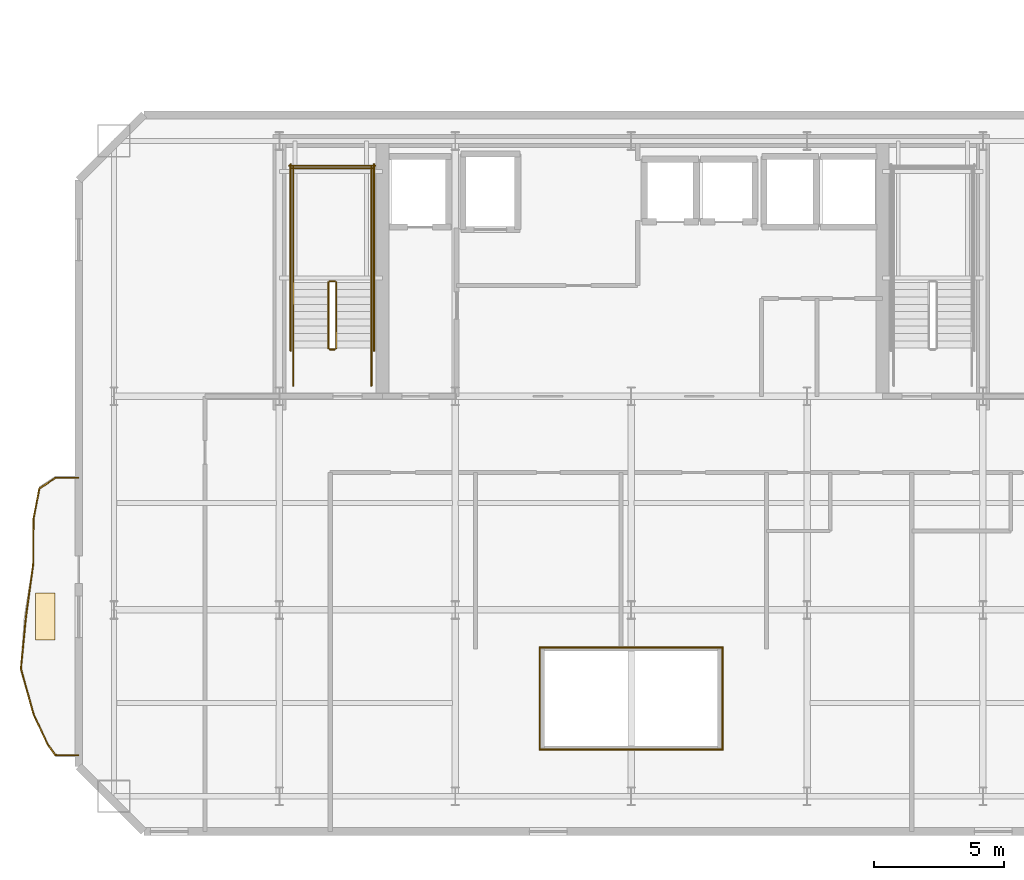
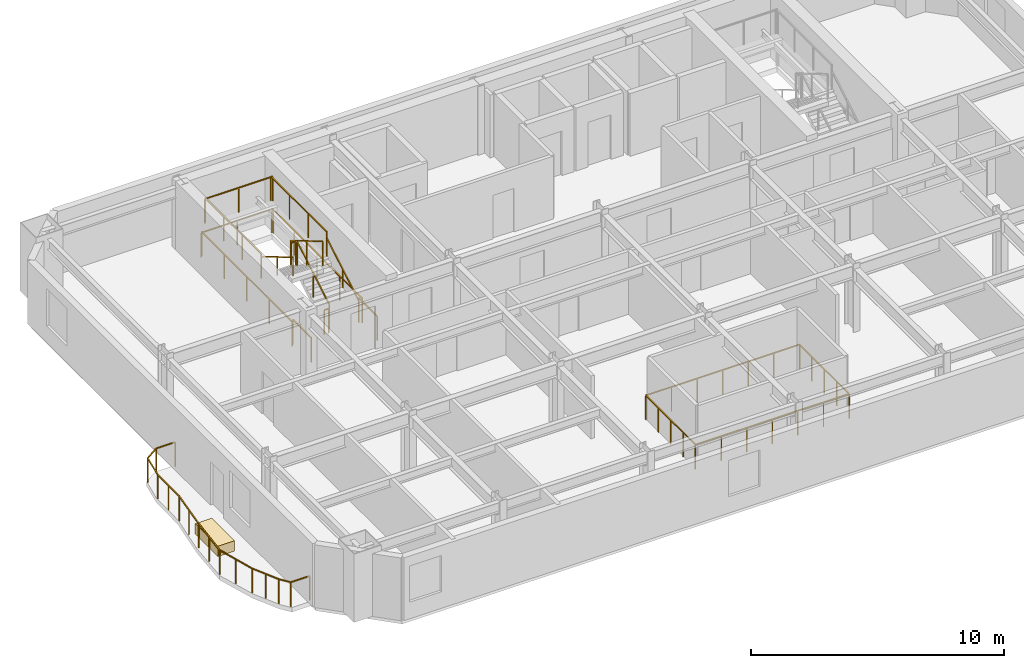
# One storey, part 10 of 13: 28 railings, 1 covering.
"""IFC4 building model written with IfcOpenShell, lengths in metres."""

from ifc_helpers import new_model, si_unit, direction, frame, origin, origin_2d, place, context, subcontext, project, spatial, rectangle, extrude, material, layer, layer_set, type_object, element, save


model = new_model("IFC4")

# Units and contexts
model_context = context("Model", 3, precision=1e-05, world=origin(), true_north=direction((0.0, 1.0)))
body_context = subcontext(model_context, "Body", "Model", "MODEL_VIEW")
ifc_project = project(units=[si_unit("LENGTHUNIT", "METRE"), si_unit("AREAUNIT", "SQUARE_METRE"), si_unit("VOLUMEUNIT", "CUBIC_METRE"), si_unit("PLANEANGLEUNIT", "RADIAN"), si_unit("MASSUNIT", "GRAM", prefix="KILO")], contexts=[model_context])

# Site, building, storey
site_placement = place(None, origin())
site = spatial("IfcSite", under=ifc_project, at=site_placement, CompositionType="ELEMENT")
building_placement = place(site_placement, origin())
building = spatial("IfcBuilding", under=site, at=building_placement, Name="Haevon Station Towers", CompositionType="ELEMENT")
storey_placement = place(building_placement, frame((0.0, 0.0, 149.39990234375)))
storey = spatial("IfcBuildingStorey", under=building, at=storey_placement, Name="L40", CompositionType="ELEMENT", Elevation=149.39990234375)

# Railings
ifc_material_1 = material(Name="Steel S355", Category="steel")
railing_type_1 = type_object("IfcRailingType", Name="BAL-ATR1200", PredefinedType="BALUSTRADE", material=ifc_material_1)
railing_1_placement = place(storey_placement, frame((33.995361328125, 24.641357421875, 0.0)))
element("IfcRailing", 1, at=railing_1_placement, inside=storey, type_object=railing_type_1, Name="L40 Atrium Void Balustrade 1", PredefinedType="BALUSTRADE", context=body_context, shape_type="SweptSolid", body=[
    extrude(rectangle(XDim=0.048095703125, YDim=0.048095703125, at=origin_2d()), frame((0.0, 0.0, 1.17578125), z_axis=(1.0, 0.0, 0.0), x_axis=(0.0, 1.0, 0.0)), (0.0, 0.0, 1.0), 7.00927734375),
    extrude(rectangle(XDim=0.0419921875, YDim=0.0419921875, at=origin_2d()), origin(), (0.0, 0.0, 1.0), 1.15185546875),
    extrude(rectangle(XDim=0.0419921875, YDim=0.0419921875, at=origin_2d()), frame((1.168212890625, 0.0, 0.0)), (0.0, 0.0, 1.0), 1.15185546875),
    extrude(rectangle(XDim=0.0419921875, YDim=0.0419921875, at=origin_2d()), frame((2.33642578125, 0.0, 0.0)), (0.0, 0.0, 1.0), 1.15185546875),
    extrude(rectangle(XDim=0.0419921875, YDim=0.0419921875, at=origin_2d()), frame((3.504638671875, 0.0, 0.0)), (0.0, 0.0, 1.0), 1.15185546875),
    extrude(rectangle(XDim=0.0419921875, YDim=0.0419921875, at=origin_2d()), frame((4.6728515625, 0.0, 0.0)), (0.0, 0.0, 1.0), 1.15185546875),
    extrude(rectangle(XDim=0.0419921875, YDim=0.0419921875, at=origin_2d()), frame((5.841064453125, 0.0, 0.0)), (0.0, 0.0, 1.0), 1.15185546875),
    extrude(rectangle(XDim=0.0419921875, YDim=0.0419921875, at=origin_2d()), frame((7.00927734375, 0.0, 0.0)), (0.0, 0.0, 1.0), 1.15185546875),
])
railing_2_placement = place(storey_placement, frame((41.004638671875, 24.641357421875, 0.0)))
element("IfcRailing", 2, at=railing_2_placement, inside=storey, type_object=railing_type_1, Name="L40 Atrium Void Balustrade 2", PredefinedType="BALUSTRADE", context=body_context, shape_type="SweptSolid", body=[
    extrude(rectangle(XDim=0.048095703125, YDim=0.048095703125, at=origin_2d()), frame((0.0, 0.0, 1.17578125), z_axis=(0.0, 1.0, 0.0), x_axis=(-1.0, 0.0, 0.0)), (0.0, 0.0, 1.0), 3.917236328125),
    extrude(rectangle(XDim=0.0419921875, YDim=0.0419921875, at=origin_2d()), origin(), (0.0, 0.0, 1.0), 1.15185546875),
    extrude(rectangle(XDim=0.0419921875, YDim=0.0419921875, at=origin_2d()), frame((0.0, 0.979248046875, 0.0)), (0.0, 0.0, 1.0), 1.15185546875),
    extrude(rectangle(XDim=0.0419921875, YDim=0.0419921875, at=origin_2d()), frame((0.0, 1.95849609375, 0.0)), (0.0, 0.0, 1.0), 1.15185546875),
    extrude(rectangle(XDim=0.0419921875, YDim=0.0419921875, at=origin_2d()), frame((0.0, 2.93798828125, 0.0)), (0.0, 0.0, 1.0), 1.15185546875),
    extrude(rectangle(XDim=0.0419921875, YDim=0.0419921875, at=origin_2d()), frame((0.0, 3.917236328125, 0.0)), (0.0, 0.0, 1.0), 1.15185546875),
])
railing_3_placement = place(storey_placement, frame((41.004638671875, 28.55859375, 0.0)))
element("IfcRailing", 3, at=railing_3_placement, inside=storey, type_object=railing_type_1, Name="L40 Atrium Void Balustrade 3", PredefinedType="BALUSTRADE", context=body_context, shape_type="SweptSolid", body=[
    extrude(rectangle(XDim=0.048095703125, YDim=0.048095703125, at=origin_2d()), frame((0.0, 0.0, 1.17578125), z_axis=(-1.0, 0.0, 0.0), x_axis=(0.0, -1.0, 0.0)), (0.0, 0.0, 1.0), 7.00927734375),
    extrude(rectangle(XDim=0.0419921875, YDim=0.0419921875, at=origin_2d()), origin(), (0.0, 0.0, 1.0), 1.15185546875),
    extrude(rectangle(XDim=0.0419921875, YDim=0.0419921875, at=origin_2d()), frame((-1.168212890625, 0.0, 0.0)), (0.0, 0.0, 1.0), 1.15185546875),
    extrude(rectangle(XDim=0.0419921875, YDim=0.0419921875, at=origin_2d()), frame((-2.33642578125, 0.0, 0.0)), (0.0, 0.0, 1.0), 1.15185546875),
    extrude(rectangle(XDim=0.0419921875, YDim=0.0419921875, at=origin_2d()), frame((-3.504638671875, 0.0, 0.0)), (0.0, 0.0, 1.0), 1.15185546875),
    extrude(rectangle(XDim=0.0419921875, YDim=0.0419921875, at=origin_2d()), frame((-4.6728515625, 0.0, 0.0)), (0.0, 0.0, 1.0), 1.15185546875),
    extrude(rectangle(XDim=0.0419921875, YDim=0.0419921875, at=origin_2d()), frame((-5.841064453125, 0.0, 0.0)), (0.0, 0.0, 1.0), 1.15185546875),
    extrude(rectangle(XDim=0.0419921875, YDim=0.0419921875, at=origin_2d()), frame((-7.00927734375, 0.0, 0.0)), (0.0, 0.0, 1.0), 1.15185546875),
])
railing_4_placement = place(storey_placement, frame((33.995361328125, 28.55859375, 0.0)))
element("IfcRailing", 4, at=railing_4_placement, inside=storey, type_object=railing_type_1, Name="L40 Atrium Void Balustrade 4", PredefinedType="BALUSTRADE", context=body_context, shape_type="SweptSolid", body=[
    extrude(rectangle(XDim=0.048095703125, YDim=0.048095703125, at=origin_2d()), frame((0.0, 0.0, 1.17578125), z_axis=(0.0, -1.0, 0.0), x_axis=(1.0, 0.0, 0.0)), (0.0, 0.0, 1.0), 3.917236328125),
    extrude(rectangle(XDim=0.0419921875, YDim=0.0419921875, at=origin_2d()), origin(), (0.0, 0.0, 1.0), 1.15185546875),
    extrude(rectangle(XDim=0.0419921875, YDim=0.0419921875, at=origin_2d()), frame((0.0, -0.979248046875, 0.0)), (0.0, 0.0, 1.0), 1.15185546875),
    extrude(rectangle(XDim=0.0419921875, YDim=0.0419921875, at=origin_2d()), frame((0.0, -1.95849609375, 0.0)), (0.0, 0.0, 1.0), 1.15185546875),
    extrude(rectangle(XDim=0.0419921875, YDim=0.0419921875, at=origin_2d()), frame((0.0, -2.93798828125, 0.0)), (0.0, 0.0, 1.0), 1.15185546875),
    extrude(rectangle(XDim=0.0419921875, YDim=0.0419921875, at=origin_2d()), frame((0.0, -3.917236328125, 0.0)), (0.0, 0.0, 1.0), 1.15185546875),
])
railing_type_2 = type_object("IfcRailingType", Name="GRD-EXT1200", PredefinedType="GUARDRAIL", material=ifc_material_1)
railing_5_placement = place(storey_placement, frame((16.276611328125, 35.072265625, 0.0)))
element("IfcRailing", 5, at=railing_5_placement, inside=storey, type_object=railing_type_2, Name="L40 Perimeter Guardrail 1", PredefinedType="GUARDRAIL", context=body_context, shape_type="SweptSolid", body=[
    extrude(rectangle(XDim=0.048095703125, YDim=0.048095703125, at=origin_2d()), frame((0.0, 0.0, 1.17578125), z_axis=(-0.999997476494, -0.002246554286, 0.0), x_axis=(0.002246554286, -0.999997476494, 0.0)), (0.0, 0.0, 1.0), 0.869384765625),
    extrude(rectangle(XDim=0.0419921875, YDim=0.0419921875, at=origin_2d()), origin(), (0.0, 0.0, 1.0), 1.15185546875),
    extrude(rectangle(XDim=0.0419921875, YDim=0.0419921875, at=origin_2d()), frame((-0.869384765625, -0.001953125, 0.0)), (0.0, 0.0, 1.0), 1.15185546875),
])
railing_6_placement = place(storey_placement, frame((15.4072265625, 35.0703125, 0.0)))
element("IfcRailing", 6, at=railing_6_placement, inside=storey, type_object=railing_type_2, Name="L40 Perimeter Guardrail 2", PredefinedType="GUARDRAIL", context=body_context, shape_type="SweptSolid", body=[
    extrude(rectangle(XDim=0.048095703125, YDim=0.048095703125, at=origin_2d()), frame((0.0, 0.0, 1.17578125), z_axis=(-0.833008823722, -0.553259703576, 0.0), x_axis=(0.553259703576, -0.833008823722, 0.0)), (0.0, 0.0, 1.0), 0.74365234375),
    extrude(rectangle(XDim=0.0419921875, YDim=0.0419921875, at=origin_2d()), origin(), (0.0, 0.0, 1.0), 1.15185546875),
    extrude(rectangle(XDim=0.0419921875, YDim=0.0419921875, at=origin_2d()), frame((-0.619384765625, -0.411376953125, 0.0)), (0.0, 0.0, 1.0), 1.15185546875),
])
railing_7_placement = place(storey_placement, frame((14.787841796875, 34.658935546875, 0.0)))
element("IfcRailing", 7, at=railing_7_placement, inside=storey, type_object=railing_type_2, Name="L40 Perimeter Guardrail 3", PredefinedType="GUARDRAIL", context=body_context, shape_type="SweptSolid", body=[
    extrude(rectangle(XDim=0.048095703125, YDim=0.048095703125, at=origin_2d()), frame((0.0, 0.0, 1.17578125), z_axis=(-0.189926348496, -0.981798340876, 0.0), x_axis=(0.981798340876, -0.189926348496, 0.0)), (0.0, 0.0, 1.0), 1.191650390625),
    extrude(rectangle(XDim=0.0419921875, YDim=0.0419921875, at=origin_2d()), origin(), (0.0, 0.0, 1.0), 1.15185546875),
    extrude(rectangle(XDim=0.0419921875, YDim=0.0419921875, at=origin_2d()), frame((-0.226318359375, -1.169921875, 0.0)), (0.0, 0.0, 1.0), 1.15185546875),
])
railing_8_placement = place(storey_placement, frame((14.5615234375, 33.489013671875, 0.0)))
element("IfcRailing", 8, at=railing_8_placement, inside=storey, type_object=railing_type_2, Name="L40 Perimeter Guardrail 4", PredefinedType="GUARDRAIL", context=body_context, shape_type="SweptSolid", body=[
    extrude(rectangle(XDim=0.048095703125, YDim=0.048095703125, at=origin_2d()), frame((0.0, 0.0, 1.17578125), z_axis=(-0.007391708799, -0.999972680947, 0.0), x_axis=(0.999972680947, -0.007391708799, 0.0)), (0.0, 0.0, 1.0), 1.75048828125),
    extrude(rectangle(XDim=0.0419921875, YDim=0.0419921875, at=origin_2d()), origin(), (0.0, 0.0, 1.0), 1.15185546875),
    extrude(rectangle(XDim=0.0419921875, YDim=0.0419921875, at=origin_2d()), frame((-0.00634765625, -0.875244140625, 0.0)), (0.0, 0.0, 1.0), 1.15185546875),
    extrude(rectangle(XDim=0.0419921875, YDim=0.0419921875, at=origin_2d()), frame((-0.012939453125, -1.75048828125, 0.0)), (0.0, 0.0, 1.0), 1.15185546875),
])
railing_9_placement = place(storey_placement, frame((14.548583984375, 31.738525390625, 0.0)))
element("IfcRailing", 9, at=railing_9_placement, inside=storey, type_object=railing_type_2, Name="L40 Perimeter Guardrail 5", PredefinedType="GUARDRAIL", context=body_context, shape_type="SweptSolid", body=[
    extrude(rectangle(XDim=0.048095703125, YDim=0.048095703125, at=origin_2d()), frame((0.0, 0.0, 1.17578125), z_axis=(-0.136345171369, -0.990661392326, 0.0), x_axis=(0.990661392326, -0.136345171369, 0.0)), (0.0, 0.0, 1.0), 2.00732421875),
    extrude(rectangle(XDim=0.0419921875, YDim=0.0419921875, at=origin_2d()), origin(), (0.0, 0.0, 1.0), 1.15185546875),
    extrude(rectangle(XDim=0.0419921875, YDim=0.0419921875, at=origin_2d()), frame((-0.13671875, -0.994140625, 0.0)), (0.0, 0.0, 1.0), 1.15185546875),
    extrude(rectangle(XDim=0.0419921875, YDim=0.0419921875, at=origin_2d()), frame((-0.273681640625, -1.988525390625, 0.0)), (0.0, 0.0, 1.0), 1.15185546875),
])
railing_10_placement = place(storey_placement, frame((14.27490234375, 29.75, 0.0)))
element("IfcRailing", 10, at=railing_10_placement, inside=storey, type_object=railing_type_2, Name="L40 Perimeter Guardrail 6", PredefinedType="GUARDRAIL", context=body_context, shape_type="SweptSolid", body=[
    extrude(rectangle(XDim=0.048095703125, YDim=0.048095703125, at=origin_2d()), frame((0.0, 0.0, 1.17578125), z_axis=(-0.097718135752, -0.9952141307, 0.0), x_axis=(0.9952141307, -0.097718135752, 0.0)), (0.0, 0.0, 1.0), 2.003662109375),
    extrude(rectangle(XDim=0.0419921875, YDim=0.0419921875, at=origin_2d()), origin(), (0.0, 0.0, 1.0), 1.15185546875),
    extrude(rectangle(XDim=0.0419921875, YDim=0.0419921875, at=origin_2d()), frame((-0.097900390625, -0.9970703125, 0.0)), (0.0, 0.0, 1.0), 1.15185546875),
    extrude(rectangle(XDim=0.0419921875, YDim=0.0419921875, at=origin_2d()), frame((-0.19580078125, -1.994140625, 0.0)), (0.0, 0.0, 1.0), 1.15185546875),
])
railing_11_placement = place(storey_placement, frame((14.0791015625, 27.755859375, 0.0)))
element("IfcRailing", 11, at=railing_11_placement, inside=storey, type_object=railing_type_2, Name="L40 Perimeter Guardrail 7", PredefinedType="GUARDRAIL", context=body_context, shape_type="SweptSolid", body=[
    extrude(rectangle(XDim=0.048095703125, YDim=0.048095703125, at=origin_2d()), frame((0.0, 0.0, 1.17578125), z_axis=(0.266482101259, -0.963839867254, 0.0), x_axis=(0.963839867254, 0.266482101259, 0.0)), (0.0, 0.0, 1.0), 1.810302734375),
    extrude(rectangle(XDim=0.0419921875, YDim=0.0419921875, at=origin_2d()), origin(), (0.0, 0.0, 1.0), 1.15185546875),
    extrude(rectangle(XDim=0.0419921875, YDim=0.0419921875, at=origin_2d()), frame((0.2412109375, -0.87255859375, 0.0)), (0.0, 0.0, 1.0), 1.15185546875),
    extrude(rectangle(XDim=0.0419921875, YDim=0.0419921875, at=origin_2d()), frame((0.482421875, -1.744873046875, 0.0)), (0.0, 0.0, 1.0), 1.15185546875),
])
railing_12_placement = place(storey_placement, frame((14.5615234375, 26.010986328125, 0.0)))
element("IfcRailing", 12, at=railing_12_placement, inside=storey, type_object=railing_type_2, Name="L40 Perimeter Guardrail 8", PredefinedType="GUARDRAIL", context=body_context, shape_type="SweptSolid", body=[
    extrude(rectangle(XDim=0.048095703125, YDim=0.048095703125, at=origin_2d()), frame((0.0, 0.0, 1.17578125), z_axis=(0.423464938521, -0.90591249348, 0.0), x_axis=(0.90591249348, 0.423464938521, 0.0)), (0.0, 0.0, 1.0), 1.29150390625),
    extrude(rectangle(XDim=0.0419921875, YDim=0.0419921875, at=origin_2d()), origin(), (0.0, 0.0, 1.0), 1.15185546875),
    extrude(rectangle(XDim=0.0419921875, YDim=0.0419921875, at=origin_2d()), frame((0.2734375, -0.5849609375, 0.0)), (0.0, 0.0, 1.0), 1.15185546875),
    extrude(rectangle(XDim=0.0419921875, YDim=0.0419921875, at=origin_2d()), frame((0.546875, -1.169921875, 0.0)), (0.0, 0.0, 1.0), 1.15185546875),
])
railing_13_placement = place(storey_placement, frame((15.1083984375, 24.841064453125, 0.0)))
element("IfcRailing", 13, at=railing_13_placement, inside=storey, type_object=railing_type_2, Name="L40 Perimeter Guardrail 9", PredefinedType="GUARDRAIL", context=body_context, shape_type="SweptSolid", body=[
    extrude(rectangle(XDim=0.048095703125, YDim=0.048095703125, at=origin_2d()), frame((0.0, 0.0, 1.17578125), z_axis=(0.587714803792, -0.809068173521, 0.0), x_axis=(0.809068173521, 0.587714803792, 0.0)), (0.0, 0.0, 1.0), 0.508544921875),
    extrude(rectangle(XDim=0.0419921875, YDim=0.0419921875, at=origin_2d()), origin(), (0.0, 0.0, 1.0), 1.15185546875),
    extrude(rectangle(XDim=0.0419921875, YDim=0.0419921875, at=origin_2d()), frame((0.298828125, -0.411376953125, 0.0)), (0.0, 0.0, 1.0), 1.15185546875),
])
railing_14_placement = place(storey_placement, frame((15.4072265625, 24.4296875, 0.0)))
element("IfcRailing", 14, at=railing_14_placement, inside=storey, type_object=railing_type_2, Name="L40 Perimeter Guardrail 10", PredefinedType="GUARDRAIL", context=body_context, shape_type="SweptSolid", body=[
    extrude(rectangle(XDim=0.048095703125, YDim=0.048095703125, at=origin_2d()), frame((0.0, 0.0, 1.17578125), z_axis=(0.999997476494, -0.002246554286, 0.0), x_axis=(0.002246554286, 0.999997476494, 0.0)), (0.0, 0.0, 1.0), 0.869384765625),
    extrude(rectangle(XDim=0.0419921875, YDim=0.0419921875, at=origin_2d()), origin(), (0.0, 0.0, 1.0), 1.15185546875),
    extrude(rectangle(XDim=0.0419921875, YDim=0.0419921875, at=origin_2d()), frame((0.869384765625, -0.001953125, 0.0)), (0.0, 0.0, 1.0), 1.15185546875),
])
railing_type_3 = type_object("IfcRailingType", Name="GRD-STR1200", PredefinedType="GUARDRAIL", material=ifc_material_1)
railing_15_placement = place(storey_placement, frame((26.179931640625, 40.050048828125, 0.1650390625)))
element("IfcRailing", 15, at=railing_15_placement, inside=storey, type_object=railing_type_3, Name="L40 ST1 Stair Guard 1", PredefinedType="GUARDRAIL", context=body_context, shape_type="SweptSolid", body=[
    extrude(rectangle(XDim=0.048095703125, YDim=0.048095703125, at=origin_2d()), frame((0.0, 0.0, 1.17578125), z_axis=(0.0, 0.86152411907, 0.507716645641), x_axis=(-1.0, 0.0, 0.0)), (0.0, 0.0, 1.0), 2.925048828125),
    extrude(rectangle(XDim=0.0419921875, YDim=0.0419921875, at=origin_2d()), origin(), (0.0, 0.0, 1.0), 1.15185546875),
    extrude(rectangle(XDim=0.0419921875, YDim=0.0419921875, at=origin_2d()), frame((0.0, 1.260009765625, 0.74267578125)), (0.0, 0.0, 1.0), 1.15185546875),
    extrude(rectangle(XDim=0.0419921875, YDim=0.0419921875, at=origin_2d()), frame((0.0, 2.52001953125, 1.485107421875)), (0.0, 0.0, 1.0), 1.15185546875),
])
railing_16_placement = place(storey_placement, frame((26.1298828125, 42.6201171875, 1.650146484375)))
element("IfcRailing", 16, at=railing_16_placement, inside=storey, type_object=railing_type_3, Name="L40 ST1 Stair Guard 2", PredefinedType="GUARDRAIL", context=body_context, shape_type="SweptSolid", body=[
    extrude(rectangle(XDim=0.048095703125, YDim=0.048095703125, at=origin_2d()), frame((0.0, 0.0, 1.17578125), z_axis=(-1.0, 0.0, 0.0), x_axis=(0.0, -1.0, 0.0)), (0.0, 0.0, 1.0), 0.199951171875),
    extrude(rectangle(XDim=0.0419921875, YDim=0.0419921875, at=origin_2d()), origin(), (0.0, 0.0, 1.0), 1.15185546875),
    extrude(rectangle(XDim=0.0419921875, YDim=0.0419921875, at=origin_2d()), frame((-0.199951171875, 0.0, 0.0)), (0.0, 0.0, 1.0), 1.15185546875),
])
for number, where, name in (
    (17, (27.530029296875, 42.570068359375, 1.650146484375), "L40 ST1 Stair Guard 3"),
    (18, (24.530029296875, 42.570068359375, 1.650146484375), "L40 ST1 Stair Guard 4"),
):
    element("IfcRailing", number, at=place(storey_placement, frame(where)), inside=storey, type_object=railing_type_3, Name=name, PredefinedType="GUARDRAIL", context=body_context, shape_type="SweptSolid", body=[
        extrude(rectangle(XDim=0.048095703125, YDim=0.048095703125, at=origin_2d()), frame((0.0, 0.0, 1.17578125), z_axis=(0.0, 1.0, 0.0), x_axis=(-1.0, 0.0, 0.0)), (0.0, 0.0, 1.0), 4.429931640625),
        extrude(rectangle(XDim=0.0419921875, YDim=0.0419921875, at=origin_2d()), origin(), (0.0, 0.0, 1.0), 1.15185546875),
        extrude(rectangle(XDim=0.0419921875, YDim=0.0419921875, at=origin_2d()), frame((0.0, 1.4765625, 0.0)), (0.0, 0.0, 1.0), 1.15185546875),
        extrude(rectangle(XDim=0.0419921875, YDim=0.0419921875, at=origin_2d()), frame((0.0, 2.953369140625, 0.0)), (0.0, 0.0, 1.0), 1.15185546875),
        extrude(rectangle(XDim=0.0419921875, YDim=0.0419921875, at=origin_2d()), frame((0.0, 4.429931640625, 0.0)), (0.0, 0.0, 1.0), 1.15185546875),
    ])
railing_17_placement = place(storey_placement, frame((27.580078125, 46.949951171875, 1.650146484375)))
element("IfcRailing", 19, at=railing_17_placement, inside=storey, type_object=railing_type_3, Name="L40 ST1 Stair Guard 5", PredefinedType="GUARDRAIL", context=body_context, shape_type="SweptSolid", body=[
    extrude(rectangle(XDim=0.048095703125, YDim=0.048095703125, at=origin_2d()), frame((0.0, 0.0, 1.17578125), z_axis=(-1.0, 0.0, 0.0), x_axis=(0.0, -1.0, 0.0)), (0.0, 0.0, 1.0), 3.10009765625),
    extrude(rectangle(XDim=0.0419921875, YDim=0.0419921875, at=origin_2d()), origin(), (0.0, 0.0, 1.0), 1.15185546875),
    extrude(rectangle(XDim=0.0419921875, YDim=0.0419921875, at=origin_2d()), frame((-1.550048828125, 0.0, 0.0)), (0.0, 0.0, 1.0), 1.15185546875),
    extrude(rectangle(XDim=0.0419921875, YDim=0.0419921875, at=origin_2d()), frame((-3.10009765625, 0.0, 0.0)), (0.0, 0.0, 1.0), 1.15185546875),
])
railing_18_placement = place(storey_placement, frame((25.8798828125, 42.570068359375, 1.815185546875)))
element("IfcRailing", 20, at=railing_18_placement, inside=storey, type_object=railing_type_3, Name="L40 ST1 Stair Guard 6", PredefinedType="GUARDRAIL", context=body_context, shape_type="SweptSolid", body=[
    extrude(rectangle(XDim=0.048095703125, YDim=0.048095703125, at=origin_2d()), frame((0.0, 0.0, 1.17578125), z_axis=(0.0, -0.861560626758, 0.507654692109), x_axis=(1.0, 0.0, 0.0)), (0.0, 0.0, 1.0), 2.925048828125),
    extrude(rectangle(XDim=0.0419921875, YDim=0.0419921875, at=origin_2d()), origin(), (0.0, 0.0, 1.0), 1.15185546875),
    extrude(rectangle(XDim=0.0419921875, YDim=0.0419921875, at=origin_2d()), frame((0.0, -1.260009765625, 0.742431640625)), (0.0, 0.0, 1.0), 1.15185546875),
    extrude(rectangle(XDim=0.0419921875, YDim=0.0419921875, at=origin_2d()), frame((0.0, -2.52001953125, 1.48486328125)), (0.0, 0.0, 1.0), 1.15185546875),
])
railing_19_placement = place(storey_placement, frame((26.1298828125, 40.0, 0.0)))
element("IfcRailing", 21, at=railing_19_placement, inside=storey, type_object=railing_type_3, Name="L40 ST1 Stair Guard 7", PredefinedType="GUARDRAIL", context=body_context, shape_type="SweptSolid", body=[
    extrude(rectangle(XDim=0.048095703125, YDim=0.048095703125, at=origin_2d()), frame((0.0, 0.0, 1.17578125), z_axis=(-1.0, 0.0, 0.0), x_axis=(0.0, -1.0, 0.0)), (0.0, 0.0, 1.0), 0.199951171875),
    extrude(rectangle(XDim=0.0419921875, YDim=0.0419921875, at=origin_2d()), origin(), (0.0, 0.0, 1.0), 1.15185546875),
    extrude(rectangle(XDim=0.0419921875, YDim=0.0419921875, at=origin_2d()), frame((-0.199951171875, 0.0, 0.0)), (0.0, 0.0, 1.0), 1.15185546875),
])
for number, where, name in (
    (22, (27.530029296875, 38.60009765625, 0.0), "L40 ST1 Stair Guard 8"),
    (23, (24.530029296875, 38.60009765625, 0.0), "L40 ST1 Stair Guard 9"),
):
    element("IfcRailing", number, at=place(storey_placement, frame(where)), inside=storey, type_object=railing_type_3, Name=name, PredefinedType="GUARDRAIL", context=body_context, shape_type="SweptSolid", body=[
        extrude(rectangle(XDim=0.048095703125, YDim=0.048095703125, at=origin_2d()), frame((0.0, 0.0, 1.17578125), z_axis=(0.0, 1.0, 0.0), x_axis=(-1.0, 0.0, 0.0)), (0.0, 0.0, 1.0), 1.449951171875),
        extrude(rectangle(XDim=0.0419921875, YDim=0.0419921875, at=origin_2d()), origin(), (0.0, 0.0, 1.0), 1.15185546875),
        extrude(rectangle(XDim=0.0419921875, YDim=0.0419921875, at=origin_2d()), frame((0.0, 1.449951171875, 0.0)), (0.0, 0.0, 1.0), 1.15185546875),
    ])
for number, where, name in (
    (24, (27.6298828125, 39.949951171875, 0.0), "L40 ST1 Stair Guard 10"),
    (25, (24.429931640625, 39.949951171875, 0.0), "L40 ST1 Stair Guard 11"),
):
    element("IfcRailing", number, at=place(storey_placement, frame(where)), inside=storey, type_object=railing_type_3, Name=name, PredefinedType="GUARDRAIL", context=body_context, shape_type="SweptSolid", body=[
        extrude(rectangle(XDim=0.048095703125, YDim=0.048095703125, at=origin_2d()), frame((0.0, 0.0, 1.17578125), z_axis=(0.0, 1.0, 0.0), x_axis=(-1.0, 0.0, 0.0)), (0.0, 0.0, 1.0), 7.150146484375),
        extrude(rectangle(XDim=0.0419921875, YDim=0.0419921875, at=origin_2d()), origin(), (0.0, 0.0, 1.0), 1.15185546875),
        extrude(rectangle(XDim=0.0419921875, YDim=0.0419921875, at=origin_2d()), frame((0.0, 1.78759765625, 0.0)), (0.0, 0.0, 1.0), 1.15185546875),
        extrude(rectangle(XDim=0.0419921875, YDim=0.0419921875, at=origin_2d()), frame((0.0, 3.5751953125, 0.0)), (0.0, 0.0, 1.0), 1.15185546875),
        extrude(rectangle(XDim=0.0419921875, YDim=0.0419921875, at=origin_2d()), frame((0.0, 5.362548828125, 0.0)), (0.0, 0.0, 1.0), 1.15185546875),
        extrude(rectangle(XDim=0.0419921875, YDim=0.0419921875, at=origin_2d()), frame((0.0, 7.150146484375, 0.0)), (0.0, 0.0, 1.0), 1.15185546875),
    ])
railing_20_placement = place(storey_placement, frame((27.679931640625, 47.050048828125, 0.0)))
element("IfcRailing", 26, at=railing_20_placement, inside=storey, type_object=railing_type_3, Name="L40 ST1 Stair Guard 12", PredefinedType="GUARDRAIL", context=body_context, shape_type="SweptSolid", body=[
    extrude(rectangle(XDim=0.048095703125, YDim=0.048095703125, at=origin_2d()), frame((0.0, 0.0, 1.17578125), z_axis=(-1.0, 0.0, 0.0), x_axis=(0.0, -1.0, 0.0)), (0.0, 0.0, 1.0), 3.300048828125),
    extrude(rectangle(XDim=0.0419921875, YDim=0.0419921875, at=origin_2d()), origin(), (0.0, 0.0, 1.0), 1.15185546875),
    extrude(rectangle(XDim=0.0419921875, YDim=0.0419921875, at=origin_2d()), frame((-1.64990234375, 0.0, 0.0)), (0.0, 0.0, 1.0), 1.15185546875),
    extrude(rectangle(XDim=0.0419921875, YDim=0.0419921875, at=origin_2d()), frame((-3.300048828125, 0.0, 0.0)), (0.0, 0.0, 1.0), 1.15185546875),
])
railing_type_4 = type_object("IfcRailingType", Name="HND-STR900", PredefinedType="HANDRAIL", material=ifc_material_1)
railing_21_placement = place(storey_placement, frame((27.530029296875, 40.050048828125, 0.1650390625)))
element("IfcRailing", 27, at=railing_21_placement, inside=storey, type_object=railing_type_4, Name="L40 ST1 Stair Handrail 1", PredefinedType="HANDRAIL", context=body_context, shape_type="SweptSolid", body=[
    extrude(rectangle(XDim=0.048095703125, YDim=0.048095703125, at=origin_2d()), frame((0.0, 0.0, 0.8759765625), z_axis=(0.0, 0.86152411907, 0.507716645641), x_axis=(-1.0, 0.0, 0.0)), (0.0, 0.0, 1.0), 2.925048828125),
    extrude(rectangle(XDim=0.0419921875, YDim=0.0419921875, at=origin_2d()), origin(), (0.0, 0.0, 1.0), 0.851806640625),
    extrude(rectangle(XDim=0.0419921875, YDim=0.0419921875, at=origin_2d()), frame((0.0, 1.260009765625, 0.74267578125)), (0.0, 0.0, 1.0), 0.851806640625),
    extrude(rectangle(XDim=0.0419921875, YDim=0.0419921875, at=origin_2d()), frame((0.0, 2.52001953125, 1.485107421875)), (0.0, 0.0, 1.0), 0.851806640625),
])
railing_22_placement = place(storey_placement, frame((24.530029296875, 42.570068359375, 1.815185546875)))
element("IfcRailing", 28, at=railing_22_placement, inside=storey, type_object=railing_type_4, Name="L40 ST1 Stair Handrail 2", PredefinedType="HANDRAIL", context=body_context, shape_type="SweptSolid", body=[
    extrude(rectangle(XDim=0.048095703125, YDim=0.048095703125, at=origin_2d()), frame((0.0, 0.0, 0.8759765625), z_axis=(0.0, -0.861560626758, 0.507654692109), x_axis=(1.0, 0.0, 0.0)), (0.0, 0.0, 1.0), 2.925048828125),
    extrude(rectangle(XDim=0.0419921875, YDim=0.0419921875, at=origin_2d()), origin(), (0.0, 0.0, 1.0), 0.851806640625),
    extrude(rectangle(XDim=0.0419921875, YDim=0.0419921875, at=origin_2d()), frame((0.0, -1.260009765625, 0.742431640625)), (0.0, 0.0, 1.0), 0.851806640625),
    extrude(rectangle(XDim=0.0419921875, YDim=0.0419921875, at=origin_2d()), frame((0.0, -2.52001953125, 1.48486328125)), (0.0, 0.0, 1.0), 0.851806640625),
])

# Covering
ifc_material_2 = material(Name="Architectural planter GRC", Category="concrete")
ifc_layer = layer(ifc_material_2, 0.550048828125)
ifc_layer_set = layer_set([ifc_layer], Name="Architectural planter GRC")
covering_type = type_object("IfcCoveringType", Name="PLN-GRC550", PredefinedType="MOLDING", material=ifc_layer_set)
covering_placement = place(storey_placement, frame((15.0166015625, 29.75, 0.0), z_axis=(0.0, 0.0, 1.0), x_axis=(1.0, 0.0, 0.0)))
element("IfcCovering", 29, at=covering_placement, inside=storey, type_object=covering_type, Name="Tower 1 L40 Scalloped Balcony PLANTER", PredefinedType="MOLDING", context=body_context, shape_type="SweptSolid", body=[
    extrude(rectangle(XDim=0.75, YDim=1.800048828125, at=origin_2d()), origin(), (0.0, 0.0, 1.0), 0.5),
])

save(model, "model.ifc")
